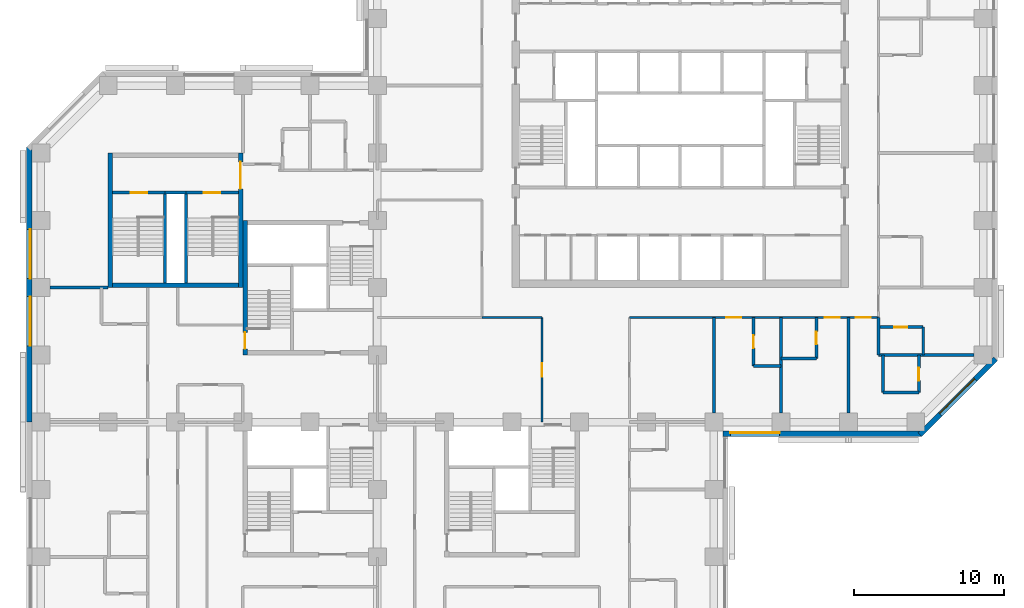
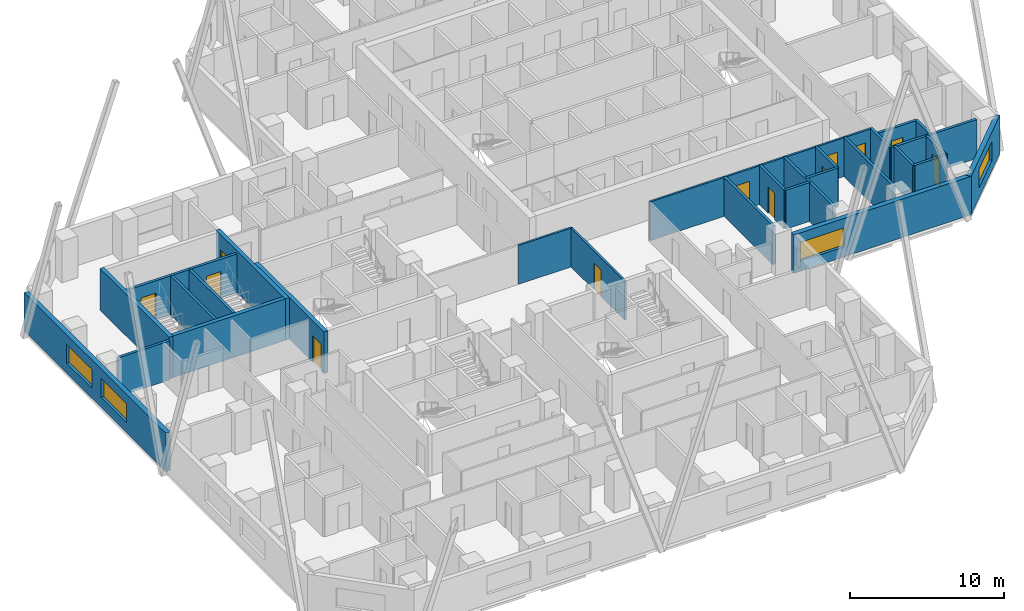
# One storey, part 6 of 13: 30 walls, 12 doors, 4 windows, 16 openings.
"""IFC4 building model written with IfcOpenShell, lengths in metres."""

from ifc_helpers import new_model, si_unit, direction, frame, frame_2d, origin, place, context, subcontext, project, spatial, rectangle, extrude, material, layer, layer_set, constituent, constituent_set, type_object, element, fill, save


model = new_model("IFC4")

# Units and contexts
model_context = context("Model", 3, precision=1e-05, world=origin(), true_north=direction((0.0, 1.0)))
body_context = subcontext(model_context, "Body", "Model", "MODEL_VIEW")
ifc_project = project(units=[si_unit("LENGTHUNIT", "METRE"), si_unit("AREAUNIT", "SQUARE_METRE"), si_unit("VOLUMEUNIT", "CUBIC_METRE"), si_unit("PLANEANGLEUNIT", "RADIAN"), si_unit("MASSUNIT", "GRAM", prefix="KILO")], contexts=[model_context])

# Site, building, storey
site_placement = place(None, origin())
site = spatial("IfcSite", under=ifc_project, at=site_placement, CompositionType="ELEMENT")
building_placement = place(site_placement, origin())
building = spatial("IfcBuilding", under=site, at=building_placement, Name="Quoin Convention Tower", CompositionType="ELEMENT")
storey_placement = place(building_placement, frame((0.0, 0.0, 39.60009765625)))
storey = spatial("IfcBuildingStorey", under=building, at=storey_placement, Name="L09", CompositionType="ELEMENT", Elevation=39.60009765625)

# Wall, opening, window
ifc_material_1 = material(Name="Brick masonry", Category="masonry")
ifc_layer_1 = layer(ifc_material_1, 0.35009765625)
ifc_layer_set_1 = layer_set([ifc_layer_1], Name="Brick masonry")
wall_type_1 = type_object("IfcWallType", Name="Brick facade wall", PredefinedType="STANDARD", material=ifc_layer_set_1)
wall_1_placement = place(storey_placement, frame((59.10009765625, 39.72509765625, 0.0), z_axis=(0.0, 0.0, 1.0), x_axis=(1.0, 0.0, 0.0)))
wall_1 = element("IfcWall", 1, at=wall_1_placement, inside=storey, type_object=wall_type_1, Name="fw-L09-58500_40500", PredefinedType="STANDARD", context=body_context, shape_type="SweptSolid", body=[
    extrude(rectangle(XDim=13.29345703125, YDim=0.35009765625, at=frame_2d((6.646728515625, 0.0))), origin(), (0.0, 0.0, 1.0), 3.054931640625),
])
opening_1_placement = place(wall_1_placement, frame((0.5, 0.0, 0.800048828125)))
opening_1 = element("IfcOpeningElement", 2, at=opening_1_placement, cuts=wall_1, Name="Opening W-01", PredefinedType="OPENING", context=body_context, shape_type="SweptSolid", body=[
    extrude(rectangle(XDim=3.300048828125, YDim=1.5, at=frame_2d((1.64990234375, 0.75))), frame((0.0, 0.18505859375, 0.0), z_axis=(0.0, -1.0, 0.0), x_axis=(1.0, 0.0, 0.0)), (0.0, 0.0, 1.0), 0.3701171875),
])
ifc_material_2 = material(Name="Aluminium", Category="aluminium")
ifc_constituent_1 = constituent(ifc_material_2, Name="Frame")
ifc_material_3 = material(Name="Insulated glass", Category="glass")
ifc_constituent_2 = constituent(ifc_material_3, Name="Glazing")
ifc_constituent_set = constituent_set(constituents=[ifc_constituent_1, ifc_constituent_2], Name="Aluminium")
window_type = type_object("IfcWindowType", Name="Hotel strip window", PartitioningType="DOUBLE_PANEL_VERTICAL", PredefinedType="WINDOW", material=ifc_constituent_set)
window_1_placement = place(opening_1_placement, origin())
window_1 = element("IfcWindow", 3, at=window_1_placement, inside=storey, type_object=window_type, Name="win-L09-60750_39725", OverallHeight=1.5, OverallWidth=3.300048828125, PartitioningType="SINGLE_PANEL", PredefinedType="WINDOW", context=body_context, shape_type="SweptSolid", body=[
    extrude(rectangle(XDim=3.300048828125, YDim=1.5, at=frame_2d((1.64990234375, 0.75))), frame((0.0, 0.0849609375, 0.0), z_axis=(0.0, -1.0, 0.0), x_axis=(1.0, 0.0, 0.0)), (0.0, 0.0, 1.0), 0.06005859375),
])
fill(opening_1, window_1)

wall_2_placement = place(storey_placement, frame((72.269775390625, 39.673583984375, 0.0), z_axis=(0.0, 0.0, 1.0), x_axis=(0.707106781187, 0.707106781187, 0.0)))
wall_2 = element("IfcWall", 4, at=wall_2_placement, inside=storey, type_object=wall_type_1, Name="fw-L09-72000_40500", PredefinedType="STANDARD", context=body_context, shape_type="SweptSolid", body=[
    extrude(rectangle(XDim=7.151123046875, YDim=0.35009765625, at=frame_2d((3.57568359375, 0.0))), origin(), (0.0, 0.0, 1.0), 3.054931640625),
])
opening_2_placement = place(wall_2_placement, frame((1.925537109375, 0.0, 0.800048828125)))
opening_2 = element("IfcOpeningElement", 5, at=opening_2_placement, cuts=wall_2, Name="Opening W-01", PredefinedType="OPENING", context=body_context, shape_type="SweptSolid", body=[
    extrude(rectangle(XDim=3.300048828125, YDim=1.5, at=frame_2d((1.64990234375, 0.75))), frame((0.0, 0.18505859375, 0.0), z_axis=(0.0, -1.0, 0.0), x_axis=(1.0, 0.0, 0.0)), (0.0, 0.0, 1.0), 0.3701171875),
])
window_2_placement = place(opening_2_placement, origin())
window_2 = element("IfcWindow", 6, at=window_2_placement, inside=storey, type_object=window_type, Name="win-L09-74798_42202", OverallHeight=1.5, OverallWidth=3.300048828125, PartitioningType="SINGLE_PANEL", PredefinedType="WINDOW", context=body_context, shape_type="SweptSolid", body=[
    extrude(rectangle(XDim=3.300048828125, YDim=1.5, at=frame_2d((1.64990234375, 0.75))), frame((0.0, 0.0849609375, 0.0), z_axis=(0.0, -1.0, 0.0), x_axis=(1.0, 0.0, 0.0)), (0.0, 0.0, 1.0), 0.06005859375),
])
fill(opening_2, window_2)

# Wall, openings, windows
wall_3_placement = place(storey_placement, frame((12.72509765625, 58.8935546875, 0.0), z_axis=(0.0, 0.0, 1.0), x_axis=(0.0, -1.0, 0.0)))
wall_3 = element("IfcWall", 7, at=wall_3_placement, inside=storey, type_object=wall_type_1, Name="fw-L09-13500_58500", PredefinedType="STANDARD", context=body_context, shape_type="SweptSolid", body=[
    extrude(rectangle(XDim=18.3935546875, YDim=0.35009765625, at=frame_2d((9.19677734375, 0.0))), origin(), (0.0, 0.0, 1.0), 3.054931640625),
])
opening_3_placement = place(wall_3_placement, frame((5.493408203125, 0.0, 0.800048828125)))
opening_3 = element("IfcOpeningElement", 8, at=opening_3_placement, cuts=wall_3, Name="Opening W-01", PredefinedType="OPENING", context=body_context, shape_type="SweptSolid", body=[
    extrude(rectangle(XDim=3.300048828125, YDim=1.5, at=frame_2d((1.64990234375, 0.75))), frame((0.0, 0.18505859375, 0.0), z_axis=(0.0, -1.0, 0.0), x_axis=(1.0, 0.0, 0.0)), (0.0, 0.0, 1.0), 0.3701171875),
])
opening_4_placement = place(wall_3_placement, frame((9.993408203125, 0.0, 0.800048828125)))
opening_4 = element("IfcOpeningElement", 9, at=opening_4_placement, cuts=wall_3, Name="Opening W-01", PredefinedType="OPENING", context=body_context, shape_type="SweptSolid", body=[
    extrude(rectangle(XDim=3.300048828125, YDim=1.5, at=frame_2d((1.64990234375, 0.75))), frame((0.0, 0.18505859375, 0.0), z_axis=(0.0, -1.0, 0.0), x_axis=(1.0, 0.0, 0.0)), (0.0, 0.0, 1.0), 0.3701171875),
])
window_3_placement = place(opening_3_placement, origin())
window_3 = element("IfcWindow", 10, at=window_3_placement, inside=storey, type_object=window_type, Name="win-L09-12725_51750", OverallHeight=1.5, OverallWidth=3.300048828125, PartitioningType="SINGLE_PANEL", PredefinedType="WINDOW", context=body_context, shape_type="SweptSolid", body=[
    extrude(rectangle(XDim=3.300048828125, YDim=1.5, at=frame_2d((1.64990234375, 0.75))), frame((0.0, 0.0849609375, 0.0), z_axis=(0.0, -1.0, 0.0), x_axis=(1.0, 0.0, 0.0)), (0.0, 0.0, 1.0), 0.06005859375),
])
fill(opening_3, window_3)
window_4_placement = place(opening_4_placement, origin())
window_4 = element("IfcWindow", 11, at=window_4_placement, inside=storey, type_object=window_type, Name="win-L09-12725_47250", OverallHeight=1.5, OverallWidth=3.300048828125, PartitioningType="SINGLE_PANEL", PredefinedType="WINDOW", context=body_context, shape_type="SweptSolid", body=[
    extrude(rectangle(XDim=3.300048828125, YDim=1.5, at=frame_2d((1.64990234375, 0.75))), frame((0.0, 0.0849609375, 0.0), z_axis=(0.0, -1.0, 0.0), x_axis=(1.0, 0.0, 0.0)), (0.0, 0.0, 1.0), 0.06005859375),
])
fill(opening_4, window_4)

# Wall
ifc_material_4 = material(Name="Concrete C50", Category="concrete")
ifc_layer_2 = layer(ifc_material_4, 0.199951171875)
ifc_layer_set_2 = layer_set([ifc_layer_2], Name="Concrete C50")
wall_type_2 = type_object("IfcWallType", Name="Core shaft wall", PredefinedType="SOLIDWALL", material=ifc_layer_set_2)
wall_4_placement = place(storey_placement, frame((21.800048828125, 55.85009765625, 0.0), z_axis=(0.0, 0.0, 1.0), x_axis=(1.0, 0.0, 0.0)))
element("IfcWall", 12, at=wall_4_placement, inside=storey, type_object=wall_type_2, Name="cr-P6-L09-h6350_3800", PredefinedType="SOLIDWALL", context=body_context, shape_type="SweptSolid", body=[
    extrude(rectangle(XDim=1.39990234375, YDim=0.199951171875, at=frame_2d((0.699951171875, 0.0))), origin(), (0.0, 0.0, 1.0), 3.079833984375),
])

# Wall, opening, door
wall_5_placement = place(storey_placement, frame((18.300048828125, 55.85009765625, 0.0), z_axis=(0.0, 0.0, 1.0), x_axis=(1.0, 0.0, 0.0)))
wall_5 = element("IfcWall", 13, at=wall_5_placement, inside=storey, type_object=wall_type_2, Name="cr-P6-L09-h6350_300", PredefinedType="SOLIDWALL", context=body_context, shape_type="SweptSolid", body=[
    extrude(rectangle(XDim=3.5, YDim=0.199951171875, at=frame_2d((1.75, 0.0))), origin(), (0.0, 0.0, 1.0), 3.079833984375),
])
opening_5_placement = place(wall_5_placement, frame((1.199951171875, 0.0, 0.0)))
opening_5 = element("IfcOpeningElement", 14, at=opening_5_placement, cuts=wall_5, Name="Opening SD11", PredefinedType="OPENING", context=body_context, shape_type="SweptSolid", body=[
    extrude(rectangle(XDim=1.10009765625, YDim=2.10009765625, at=frame_2d((0.550048828125, 1.050048828125))), frame((0.0, 0.10986328125, 0.0), z_axis=(0.0, -1.0, 0.0), x_axis=(1.0, 0.0, 0.0)), (0.0, 0.0, 1.0), 0.219970703125),
])
ifc_material_5 = material(Name="Steel door leaf", Category="steel")
door_type_1 = type_object("IfcDoorType", Name="Stair door 1100 x 2100", OperationType="SINGLE_SWING_RIGHT", PredefinedType="DOOR", material=ifc_material_5)
door_1_placement = place(opening_5_placement, origin())
door_1 = element("IfcDoor", 15, at=door_1_placement, inside=storey, type_object=door_type_1, Name="cd-P6-L09-SA-R2-SD11", OperationType="SINGLE_SWING_RIGHT", OverallHeight=2.10009765625, OverallWidth=1.10009765625, PredefinedType="DOOR", context=body_context, shape_type="SweptSolid", body=[
    extrude(rectangle(XDim=1.10009765625, YDim=2.10009765625, at=frame_2d((0.550048828125, 1.050048828125))), frame((0.0, 0.02490234375, 0.0), z_axis=(0.0, -1.0, 0.0), x_axis=(1.0, 0.0, 0.0)), (0.0, 0.0, 1.0), 0.050048828125),
])
fill(opening_5, door_1)

wall_6_placement = place(storey_placement, frame((23.199951171875, 55.85009765625, 0.0), z_axis=(0.0, 0.0, 1.0), x_axis=(1.0, 0.0, 0.0)))
wall_6 = element("IfcWall", 16, at=wall_6_placement, inside=storey, type_object=wall_type_2, Name="cr-P6-L09-h6350_5200", PredefinedType="SOLIDWALL", context=body_context, shape_type="SweptSolid", body=[
    extrude(rectangle(XDim=3.5, YDim=0.199951171875, at=frame_2d((1.75, 0.0))), origin(), (0.0, 0.0, 1.0), 3.079833984375),
])
opening_6_placement = place(wall_6_placement, frame((1.199951171875, 0.0, 0.0)))
opening_6 = element("IfcOpeningElement", 17, at=opening_6_placement, cuts=wall_6, Name="Opening SD12", PredefinedType="OPENING", context=body_context, shape_type="SweptSolid", body=[
    extrude(rectangle(XDim=1.10009765625, YDim=2.10009765625, at=frame_2d((0.550048828125, 1.050048828125))), frame((0.0, 0.10986328125, 0.0), z_axis=(0.0, -1.0, 0.0), x_axis=(1.0, 0.0, 0.0)), (0.0, 0.0, 1.0), 0.219970703125),
])
door_2_placement = place(opening_6_placement, origin())
door_2 = element("IfcDoor", 18, at=door_2_placement, inside=storey, type_object=door_type_1, Name="cd-P6-L09-SB-R2-SD12", OperationType="SINGLE_SWING_RIGHT", OverallHeight=2.10009765625, OverallWidth=1.10009765625, PredefinedType="DOOR", context=body_context, shape_type="SweptSolid", body=[
    extrude(rectangle(XDim=1.10009765625, YDim=2.10009765625, at=frame_2d((0.550048828125, 1.050048828125))), frame((0.0, 0.02490234375, 0.0), z_axis=(0.0, -1.0, 0.0), x_axis=(1.0, 0.0, 0.0)), (0.0, 0.0, 1.0), 0.050048828125),
])
fill(opening_6, door_2)

# Walls
for number, where, z_axis, x_axis, name in (
    (19, (21.800048828125, 49.800048828125, 0.0), (0.0, 0.0, 1.0), (0.0, 1.0, 0.0), "cr-P6-L09-v3800_300"),
    (20, (23.199951171875, 49.800048828125, 0.0), (0.0, 0.0, 1.0), (0.0, 1.0, 0.0), "cr-P6-L09-v5200_300"),
):
    element("IfcWall", number, at=place(storey_placement, frame(where, z_axis=z_axis, x_axis=x_axis)), inside=storey, type_object=wall_type_2, Name=name, PredefinedType="SOLIDWALL", context=body_context, shape_type="SweptSolid", body=[
        extrude(rectangle(XDim=6.050048828125, YDim=0.199951171875, at=frame_2d((3.02490234375, 0.0))), origin(), (0.0, 0.0, 1.0), 3.079833984375),
    ])

# Wall, opening, door
ifc_material_6 = material(Name="Concrete C80", Category="concrete")
ifc_layer_3 = layer(ifc_material_6, 0.300048828125)
ifc_layer_set_3 = layer_set([ifc_layer_3], Name="Concrete C80")
wall_type_3 = type_object("IfcWallType", Name="RC CORE WALL 300 C80", PredefinedType="SHEAR", material=ifc_layer_set_3)
wall_7_placement = place(storey_placement, frame((27.14990234375, 45.0, 0.0), z_axis=(0.0, 0.0, 1.0), x_axis=(0.0, 1.0, 0.0)))
wall_7 = element("IfcWall", 21, at=wall_7_placement, inside=storey, type_object=wall_type_3, Name="cwl-P2-L09-W", PredefinedType="SHEAR", context=body_context, shape_type="SweptSolid", body=[
    extrude(rectangle(XDim=9.0, YDim=0.300048828125, at=frame_2d((4.5, 0.0))), origin(), (0.0, 0.0, 1.0), 3.2998046875),
])
opening_7_placement = place(wall_7_placement, frame((0.39990234375, 0.0, 0.0)))
opening_7 = element("IfcOpeningElement", 22, at=opening_7_placement, cuts=wall_7, Name="Opening SD3", PredefinedType="OPENING", context=body_context, shape_type="SweptSolid", body=[
    extrude(rectangle(XDim=1.10009765625, YDim=2.10009765625, at=frame_2d((0.550048828125, 1.050048828125))), frame((0.0, 0.159912109375, 0.0), z_axis=(0.0, -1.0, 0.0), x_axis=(1.0, 0.0, 0.0)), (0.0, 0.0, 1.0), 0.320068359375),
])
door_3_placement = place(opening_7_placement, frame((1.10009765625, 0.0, 0.0), z_axis=(0.0, 0.0, 1.0), x_axis=(-1.0, 0.0, 0.0)))
door_3 = element("IfcDoor", 23, at=door_3_placement, inside=storey, type_object=door_type_1, Name="cd-P2-L09-SA-W", OperationType="SINGLE_SWING_RIGHT", OverallHeight=2.10009765625, OverallWidth=1.10009765625, PredefinedType="DOOR", context=body_context, shape_type="SweptSolid", body=[
    extrude(rectangle(XDim=1.10009765625, YDim=2.10009765625, at=frame_2d((0.550048828125, 1.050048828125))), frame((0.0, 0.02490234375, 0.0), z_axis=(0.0, -1.0, 0.0), x_axis=(1.0, 0.0, 0.0)), (0.0, 0.0, 1.0), 0.050048828125),
])
fill(opening_7, door_3)

# Walls
wall_8_placement = place(storey_placement, frame((18.300048828125, 49.64990234375, 0.0), z_axis=(0.0, 0.0, 1.0), x_axis=(1.0, 0.0, 0.0)))
element("IfcWall", 24, at=wall_8_placement, inside=storey, type_object=wall_type_3, Name="cwl-P6-L09-S", PredefinedType="SHEAR", context=body_context, shape_type="SweptSolid", body=[
    extrude(rectangle(XDim=8.39990234375, YDim=0.300048828125, at=frame_2d((4.199951171875, 0.0))), origin(), (0.0, 0.0, 1.0), 3.2998046875),
])
wall_9_placement = place(storey_placement, frame((18.14990234375, 49.5, 0.0), z_axis=(0.0, 0.0, 1.0), x_axis=(0.0, 1.0, 0.0)))
element("IfcWall", 25, at=wall_9_placement, inside=storey, type_object=wall_type_3, Name="cwl-P6-L09-W", PredefinedType="SHEAR", context=body_context, shape_type="SweptSolid", body=[
    extrude(rectangle(XDim=9.0, YDim=0.300048828125, at=frame_2d((4.5, 0.0))), origin(), (0.0, 0.0, 1.0), 3.2998046875),
])

# Wall, opening, door
wall_10_placement = place(storey_placement, frame((26.85009765625, 49.5, 0.0), z_axis=(0.0, 0.0, 1.0), x_axis=(0.0, 1.0, 0.0)))
wall_10 = element("IfcWall", 26, at=wall_10_placement, inside=storey, type_object=wall_type_3, Name="cwl-P6-L09-E", PredefinedType="SHEAR", context=body_context, shape_type="SweptSolid", body=[
    extrude(rectangle(XDim=9.0, YDim=0.300048828125, at=frame_2d((4.5, 0.0))), origin(), (0.0, 0.0, 1.0), 3.2998046875),
])
opening_8_placement = place(wall_10_placement, frame((6.60009765625, 0.0, 0.0)))
opening_8 = element("IfcOpeningElement", 27, at=opening_8_placement, cuts=wall_10, Name="Opening DCV3-44", PredefinedType="OPENING", context=body_context, shape_type="SweptSolid", body=[
    extrude(rectangle(XDim=1.800048828125, YDim=2.10009765625, at=frame_2d((0.89990234375, 1.050048828125))), frame((0.0, 0.159912109375, 0.0), z_axis=(0.0, -1.0, 0.0), x_axis=(1.0, 0.0, 0.0)), (0.0, 0.0, 1.0), 0.320068359375),
])
door_type_2 = type_object("IfcDoorType", Name="Goods lobby door 1800 x 2100", OperationType="SINGLE_SWING_LEFT", PredefinedType="DOOR", material=ifc_material_5)
door_4_placement = place(opening_8_placement, origin())
door_4 = element("IfcDoor", 28, at=door_4_placement, inside=storey, type_object=door_type_2, Name="cd-P6-L09-R2-E", OperationType="SINGLE_SWING_LEFT", OverallHeight=2.10009765625, OverallWidth=1.800048828125, PredefinedType="DOOR", context=body_context, shape_type="SweptSolid", body=[
    extrude(rectangle(XDim=1.800048828125, YDim=2.10009765625, at=frame_2d((0.89990234375, 1.050048828125))), frame((0.0, 0.02490234375, 0.0), z_axis=(0.0, -1.0, 0.0), x_axis=(1.0, 0.0, 0.0)), (0.0, 0.0, 1.0), 0.050048828125),
])
fill(opening_8, door_4)

# Walls
ifc_layer_4 = layer(ifc_material_4, 0.199951171875)
ifc_layer_set_4 = layer_set([ifc_layer_4], Name="Concrete C50")
wall_type_4 = type_object("IfcWallType", Name="RC party wall", PredefinedType="SOLIDWALL", material=ifc_layer_set_4)
for number, where, z_axis, x_axis, name in (
    (29, (63.0, 41.10009765625, 0.0), (0.0, 0.0, 1.0), (0.0, 1.0, 0.0), "pw-L09-073"),
    (30, (67.5, 41.10009765625, 0.0), (0.0, 0.0, 1.0), (0.0, 1.0, 0.0), "pw-L09-074"),
):
    element("IfcWall", number, at=place(storey_placement, frame(where, z_axis=z_axis, x_axis=x_axis)), inside=storey, type_object=wall_type_4, Name=name, PredefinedType="SOLIDWALL", context=body_context, shape_type="SweptSolid", body=[
        extrude(rectangle(XDim=6.39990234375, YDim=0.199951171875, at=frame_2d((3.199951171875, 0.0))), origin(), (0.0, 0.0, 1.0), 3.079833984375),
    ])
wall_11_placement = place(storey_placement, frame((69.800048828125, 42.5, 0.0), z_axis=(0.0, 0.0, 1.0), x_axis=(1.0, 0.0, 0.0)))
element("IfcWall", 31, at=wall_11_placement, inside=storey, type_object=wall_type_4, Name="pw-L09-075", PredefinedType="SOLIDWALL", context=body_context, shape_type="SweptSolid", body=[
    extrude(rectangle(XDim=2.39990234375, YDim=0.199951171875, at=frame_2d((1.199951171875, 0.0))), origin(), (0.0, 0.0, 1.0), 3.079833984375),
])
wall_12_placement = place(storey_placement, frame((69.800048828125, 42.5, 0.0), z_axis=(0.0, 0.0, 1.0), x_axis=(0.0, 1.0, 0.0)))
element("IfcWall", 32, at=wall_12_placement, inside=storey, type_object=wall_type_4, Name="pw-L09-076", PredefinedType="SOLIDWALL", context=body_context, shape_type="SweptSolid", body=[
    extrude(rectangle(XDim=2.5, YDim=0.199951171875, at=frame_2d((1.25, 0.0))), origin(), (0.0, 0.0, 1.0), 3.079833984375),
])

# Wall, opening, door
wall_13_placement = place(storey_placement, frame((72.199951171875, 42.5, 0.0), z_axis=(0.0, 0.0, 1.0), x_axis=(0.0, 1.0, 0.0)))
wall_13 = element("IfcWall", 33, at=wall_13_placement, inside=storey, type_object=wall_type_4, Name="pw-L09-077", PredefinedType="SOLIDWALL", context=body_context, shape_type="SweptSolid", body=[
    extrude(rectangle(XDim=2.5, YDim=0.199951171875, at=frame_2d((1.25, 0.0))), origin(), (0.0, 0.0, 1.0), 3.079833984375),
])
opening_9_placement = place(wall_13_placement, frame((0.77490234375, 0.0, 0.0)))
opening_9 = element("IfcOpeningElement", 34, at=opening_9_placement, cuts=wall_13, Name="Opening DHOTEL-E-46", PredefinedType="OPENING", context=body_context, shape_type="SweptSolid", body=[
    extrude(rectangle(XDim=0.85009765625, YDim=2.10009765625, at=frame_2d((0.425048828125, 1.050048828125))), frame((0.0, 0.10986328125, 0.0), z_axis=(0.0, -1.0, 0.0), x_axis=(1.0, 0.0, 0.0)), (0.0, 0.0, 1.0), 0.219970703125),
])
door_type_3 = type_object("IfcDoorType", Name="Bathroom door", OperationType="SINGLE_SWING_LEFT", PredefinedType="DOOR", material=ifc_material_5)
door_5_placement = place(opening_9_placement, frame((0.85009765625, 0.0, 0.0), z_axis=(0.0, 0.0, 1.0), x_axis=(-1.0, 0.0, 0.0)))
door_5 = element("IfcDoor", 35, at=door_5_placement, inside=storey, type_object=door_type_3, Name="dr-L09-060", OperationType="SINGLE_SWING_LEFT", OverallHeight=2.10009765625, OverallWidth=0.85009765625, PredefinedType="DOOR", context=body_context, shape_type="SweptSolid", body=[
    extrude(rectangle(XDim=0.85009765625, YDim=2.10009765625, at=frame_2d((0.425048828125, 1.050048828125))), frame((0.0, 0.02490234375, 0.0), z_axis=(0.0, -1.0, 0.0), x_axis=(1.0, 0.0, 0.0)), (0.0, 0.0, 1.0), 0.050048828125),
])
fill(opening_9, door_5)

# Wall
wall_14_placement = place(storey_placement, frame((61.14990234375, 44.25, 0.0), z_axis=(0.0, 0.0, 1.0), x_axis=(1.0, 0.0, 0.0)))
element("IfcWall", 36, at=wall_14_placement, inside=storey, type_object=wall_type_4, Name="pw-L09-078", PredefinedType="SOLIDWALL", context=body_context, shape_type="SweptSolid", body=[
    extrude(rectangle(XDim=1.85009765625, YDim=0.199951171875, at=frame_2d((0.925048828125, 0.0))), origin(), (0.0, 0.0, 1.0), 3.079833984375),
])

# Wall, opening, door
wall_15_placement = place(storey_placement, frame((61.14990234375, 44.25, 0.0), z_axis=(0.0, 0.0, 1.0), x_axis=(0.0, 1.0, 0.0)))
wall_15 = element("IfcWall", 37, at=wall_15_placement, inside=storey, type_object=wall_type_4, Name="pw-L09-079", PredefinedType="SOLIDWALL", context=body_context, shape_type="SweptSolid", body=[
    extrude(rectangle(XDim=3.25, YDim=0.199951171875, at=frame_2d((1.625, 0.0))), origin(), (0.0, 0.0, 1.0), 3.079833984375),
])
opening_10_placement = place(wall_15_placement, frame((1.199951171875, 0.0, 0.0)))
opening_10 = element("IfcOpeningElement", 38, at=opening_10_placement, cuts=wall_15, Name="Opening DHOTEL-E-47", PredefinedType="OPENING", context=body_context, shape_type="SweptSolid", body=[
    extrude(rectangle(XDim=0.85009765625, YDim=2.10009765625, at=frame_2d((0.425048828125, 1.050048828125))), frame((0.0, 0.10986328125, 0.0), z_axis=(0.0, -1.0, 0.0), x_axis=(1.0, 0.0, 0.0)), (0.0, 0.0, 1.0), 0.219970703125),
])
door_6_placement = place(opening_10_placement, origin())
door_6 = element("IfcDoor", 39, at=door_6_placement, inside=storey, type_object=door_type_3, Name="dr-L09-048", OperationType="SINGLE_SWING_RIGHT", OverallHeight=2.10009765625, OverallWidth=0.85009765625, PredefinedType="DOOR", context=body_context, shape_type="SweptSolid", body=[
    extrude(rectangle(XDim=0.85009765625, YDim=2.10009765625, at=frame_2d((0.425048828125, 1.050048828125))), frame((0.0, 0.02490234375, 0.0), z_axis=(0.0, -1.0, 0.0), x_axis=(1.0, 0.0, 0.0)), (0.0, 0.0, 1.0), 0.050048828125),
])
fill(opening_10, door_6)

# Wall
wall_16_placement = place(storey_placement, frame((63.0, 44.75, 0.0), z_axis=(0.0, 0.0, 1.0), x_axis=(1.0, 0.0, 0.0)))
element("IfcWall", 40, at=wall_16_placement, inside=storey, type_object=wall_type_4, Name="pw-L09-080", PredefinedType="SOLIDWALL", context=body_context, shape_type="SweptSolid", body=[
    extrude(rectangle(XDim=2.35009765625, YDim=0.199951171875, at=frame_2d((1.175048828125, 0.0))), origin(), (0.0, 0.0, 1.0), 3.079833984375),
])

# Wall, opening, door
wall_17_placement = place(storey_placement, frame((65.35009765625, 44.75, 0.0), z_axis=(0.0, 0.0, 1.0), x_axis=(0.0, 1.0, 0.0)))
wall_17 = element("IfcWall", 41, at=wall_17_placement, inside=storey, type_object=wall_type_4, Name="pw-L09-081", PredefinedType="SOLIDWALL", context=body_context, shape_type="SweptSolid", body=[
    extrude(rectangle(XDim=2.75, YDim=0.199951171875, at=frame_2d((1.375, 0.0))), origin(), (0.0, 0.0, 1.0), 3.079833984375),
])
opening_11_placement = place(wall_17_placement, frame((0.949951171875, 0.0, 0.0)))
opening_11 = element("IfcOpeningElement", 42, at=opening_11_placement, cuts=wall_17, Name="Opening DHOTEL-E-48", PredefinedType="OPENING", context=body_context, shape_type="SweptSolid", body=[
    extrude(rectangle(XDim=0.85009765625, YDim=2.10009765625, at=frame_2d((0.425048828125, 1.050048828125))), frame((0.0, 0.10986328125, 0.0), z_axis=(0.0, -1.0, 0.0), x_axis=(1.0, 0.0, 0.0)), (0.0, 0.0, 1.0), 0.219970703125),
])
door_7_placement = place(opening_11_placement, frame((0.85009765625, 0.0, 0.0), z_axis=(0.0, 0.0, 1.0), x_axis=(-1.0, 0.0, 0.0)))
door_7 = element("IfcDoor", 43, at=door_7_placement, inside=storey, type_object=door_type_3, Name="dr-L09-046", OperationType="SINGLE_SWING_LEFT", OverallHeight=2.10009765625, OverallWidth=0.85009765625, PredefinedType="DOOR", context=body_context, shape_type="SweptSolid", body=[
    extrude(rectangle(XDim=0.85009765625, YDim=2.10009765625, at=frame_2d((0.425048828125, 1.050048828125))), frame((0.0, 0.02490234375, 0.0), z_axis=(0.0, -1.0, 0.0), x_axis=(1.0, 0.0, 0.0)), (0.0, 0.0, 1.0), 0.050048828125),
])
fill(opening_11, door_7)

# Walls
wall_18_placement = place(storey_placement, frame((69.5, 45.0, 0.0), z_axis=(0.0, 0.0, 1.0), x_axis=(1.0, 0.0, 0.0)))
element("IfcWall", 44, at=wall_18_placement, inside=storey, type_object=wall_type_4, Name="pw-L09-082", PredefinedType="SOLIDWALL", context=body_context, shape_type="SweptSolid", body=[
    extrude(rectangle(XDim=6.39990234375, YDim=0.199951171875, at=frame_2d((3.199951171875, 0.0))), origin(), (0.0, 0.0, 1.0), 3.079833984375),
])
wall_19_placement = place(storey_placement, frame((69.5, 45.0, 0.0), z_axis=(0.0, 0.0, 1.0), x_axis=(0.0, 1.0, 0.0)))
element("IfcWall", 45, at=wall_19_placement, inside=storey, type_object=wall_type_4, Name="pw-L09-083", PredefinedType="SOLIDWALL", context=body_context, shape_type="SweptSolid", body=[
    extrude(rectangle(XDim=2.5, YDim=0.199951171875, at=frame_2d((1.25, 0.0))), origin(), (0.0, 0.0, 1.0), 3.079833984375),
])
wall_20_placement = place(storey_placement, frame((72.5, 45.0, 0.0), z_axis=(0.0, 0.0, 1.0), x_axis=(0.0, 1.0, 0.0)))
element("IfcWall", 46, at=wall_20_placement, inside=storey, type_object=wall_type_4, Name="pw-L09-084", PredefinedType="SOLIDWALL", context=body_context, shape_type="SweptSolid", body=[
    extrude(rectangle(XDim=1.85009765625, YDim=0.199951171875, at=frame_2d((0.925048828125, 0.0))), origin(), (0.0, 0.0, 1.0), 3.079833984375),
])

# Wall, opening, door
wall_21_placement = place(storey_placement, frame((69.5, 46.85009765625, 0.0), z_axis=(0.0, 0.0, 1.0), x_axis=(1.0, 0.0, 0.0)))
wall_21 = element("IfcWall", 47, at=wall_21_placement, inside=storey, type_object=wall_type_4, Name="pw-L09-085", PredefinedType="SOLIDWALL", context=body_context, shape_type="SweptSolid", body=[
    extrude(rectangle(XDim=3.0, YDim=0.199951171875, at=frame_2d((1.5, 0.0))), origin(), (0.0, 0.0, 1.0), 3.079833984375),
])
opening_12_placement = place(wall_21_placement, frame((1.074951171875, 0.0, 0.0)))
opening_12 = element("IfcOpeningElement", 48, at=opening_12_placement, cuts=wall_21, Name="Opening DHOTEL-E-49", PredefinedType="OPENING", context=body_context, shape_type="SweptSolid", body=[
    extrude(rectangle(XDim=0.85009765625, YDim=2.10009765625, at=frame_2d((0.425048828125, 1.050048828125))), frame((0.0, 0.10986328125, 0.0), z_axis=(0.0, -1.0, 0.0), x_axis=(1.0, 0.0, 0.0)), (0.0, 0.0, 1.0), 0.219970703125),
])
door_8_placement = place(opening_12_placement, origin())
door_8 = element("IfcDoor", 49, at=door_8_placement, inside=storey, type_object=door_type_3, Name="dr-L09-044", OperationType="SINGLE_SWING_LEFT", OverallHeight=2.10009765625, OverallWidth=0.85009765625, PredefinedType="DOOR", context=body_context, shape_type="SweptSolid", body=[
    extrude(rectangle(XDim=0.85009765625, YDim=2.10009765625, at=frame_2d((0.425048828125, 1.050048828125))), frame((0.0, 0.02490234375, 0.0), z_axis=(0.0, -1.0, 0.0), x_axis=(1.0, 0.0, 0.0)), (0.0, 0.0, 1.0), 0.050048828125),
])
fill(opening_12, door_8)

# Wall
wall_22_placement = place(storey_placement, frame((14.10009765625, 49.5, 0.0), z_axis=(0.0, 0.0, 1.0), x_axis=(1.0, 0.0, 0.0)))
element("IfcWall", 50, at=wall_22_placement, inside=storey, type_object=wall_type_4, Name="pw-L09-088", PredefinedType="SOLIDWALL", context=body_context, shape_type="SweptSolid", body=[
    extrude(rectangle(XDim=3.89990234375, YDim=0.199951171875, at=frame_2d((1.949951171875, 0.0))), origin(), (0.0, 0.0, 1.0), 3.079833984375),
])

# Wall, opening, door
ifc_material_7 = material(Name="Plasterboard")
ifc_layer_5 = layer(ifc_material_7, 0.012451171875, Name="Finish")
ifc_material_8 = material(Name="Steel stud framing", Category="steel")
ifc_layer_6 = layer(ifc_material_8, 0.125, Name="Structure")
ifc_layer_7 = layer(ifc_material_7, 0.012451171875, Name="Finish")
ifc_layer_set_5 = layer_set([ifc_layer_5, ifc_layer_6, ifc_layer_7], Name="Steel stud framing")
wall_type_5 = type_object("IfcWallType", Name="corridor partition", PredefinedType="PARTITIONING", material=ifc_layer_set_5)
wall_23_placement = place(storey_placement, frame((47.0, 40.5, 0.0), z_axis=(0.0, 0.0, 1.0), x_axis=(0.0, 1.0, 0.0)))
wall_23 = element("IfcWall", 51, at=wall_23_placement, inside=storey, type_object=wall_type_5, Name="pw-L09-024", PredefinedType="PARTITIONING", context=body_context, shape_type="SweptSolid", body=[
    extrude(rectangle(XDim=7.0, YDim=0.14990234375, at=frame_2d((3.5, 0.0))), origin(), (0.0, 0.0, 1.0), 3.079833984375),
])
opening_13_placement = place(wall_23_placement, frame((3.050048828125, 0.0, 0.0)))
opening_13 = element("IfcOpeningElement", 52, at=opening_13_placement, cuts=wall_23, Name="Opening DHOTEL-E-17", PredefinedType="OPENING", context=body_context, shape_type="SweptSolid", body=[
    extrude(rectangle(XDim=0.89990234375, YDim=2.10009765625, at=frame_2d((0.449951171875, 1.050048828125))), frame((0.0, 0.0849609375, 0.0), z_axis=(0.0, -1.0, 0.0), x_axis=(1.0, 0.0, 0.0)), (0.0, 0.0, 1.0), 0.169921875),
])
door_type_4 = type_object("IfcDoorType", Name="Single room door", OperationType="SINGLE_SWING_RIGHT", PredefinedType="DOOR", material=ifc_material_5)
door_9_placement = place(opening_13_placement, origin())
door_9 = element("IfcDoor", 53, at=door_9_placement, inside=storey, type_object=door_type_4, Name="dr-L09-069", OperationType="SINGLE_SWING_RIGHT", OverallHeight=2.10009765625, OverallWidth=0.89990234375, PredefinedType="DOOR", context=body_context, shape_type="SweptSolid", body=[
    extrude(rectangle(XDim=0.89990234375, YDim=2.10009765625, at=frame_2d((0.449951171875, 1.050048828125))), frame((0.0, 0.02490234375, 0.0), z_axis=(0.0, -1.0, 0.0), x_axis=(1.0, 0.0, 0.0)), (0.0, 0.0, 1.0), 0.050048828125),
])
fill(opening_13, door_9)

# Wall
wall_24_placement = place(storey_placement, frame((43.0, 47.5, 0.0), z_axis=(0.0, 0.0, 1.0), x_axis=(1.0, 0.0, 0.0)))
element("IfcWall", 54, at=wall_24_placement, inside=storey, type_object=wall_type_5, Name="pw-L09-028", PredefinedType="PARTITIONING", context=body_context, shape_type="SweptSolid", body=[
    extrude(rectangle(XDim=4.0, YDim=0.14990234375, at=frame_2d((2.0, 0.0))), origin(), (0.0, 0.0, 1.0), 3.079833984375),
])

# Wall, openings, doors
wall_25_placement = place(storey_placement, frame((52.85009765625, 47.5, 0.0), z_axis=(0.0, 0.0, 1.0), x_axis=(1.0, 0.0, 0.0)))
wall_25 = element("IfcWall", 55, at=wall_25_placement, inside=storey, type_object=wall_type_5, Name="pw-L09-030", PredefinedType="PARTITIONING", context=body_context, shape_type="SweptSolid", body=[
    extrude(rectangle(XDim=16.64990234375, YDim=0.14990234375, at=frame_2d((8.324951171875, 0.0))), origin(), (0.0, 0.0, 1.0), 3.079833984375),
])
opening_14_placement = place(wall_25_placement, frame((13.074951171875, 0.0, 0.0)))
opening_14 = element("IfcOpeningElement", 56, at=opening_14_placement, cuts=wall_25, Name="Opening DHOTEL-E-21", PredefinedType="OPENING", context=body_context, shape_type="SweptSolid", body=[
    extrude(rectangle(XDim=1.0, YDim=2.10009765625, at=frame_2d((0.5, 1.050048828125))), frame((0.0, 0.0849609375, 0.0), z_axis=(0.0, -1.0, 0.0), x_axis=(1.0, 0.0, 0.0)), (0.0, 0.0, 1.0), 0.169921875),
])
opening_15_placement = place(wall_25_placement, frame((6.47509765625, 0.0, 0.0)))
opening_15 = element("IfcOpeningElement", 57, at=opening_15_placement, cuts=wall_25, Name="Opening DHOTEL-E-20", PredefinedType="OPENING", context=body_context, shape_type="SweptSolid", body=[
    extrude(rectangle(XDim=1.0, YDim=2.10009765625, at=frame_2d((0.5, 1.050048828125))), frame((0.0, 0.0849609375, 0.0), z_axis=(0.0, -1.0, 0.0), x_axis=(1.0, 0.0, 0.0)), (0.0, 0.0, 1.0), 0.169921875),
])
opening_16_placement = place(wall_25_placement, frame((15.14990234375, 0.0, 0.0)))
opening_16 = element("IfcOpeningElement", 58, at=opening_16_placement, cuts=wall_25, Name="Opening DHOTEL-E-22", PredefinedType="OPENING", context=body_context, shape_type="SweptSolid", body=[
    extrude(rectangle(XDim=1.0, YDim=2.10009765625, at=frame_2d((0.5, 1.050048828125))), frame((0.0, 0.0849609375, 0.0), z_axis=(0.0, -1.0, 0.0), x_axis=(1.0, 0.0, 0.0)), (0.0, 0.0, 1.0), 0.169921875),
])
door_type_5 = type_object("IfcDoorType", Name="Hotel room door", OperationType="SINGLE_SWING_LEFT", PredefinedType="DOOR", material=ifc_material_5)
door_10_placement = place(opening_14_placement, frame((1.0, 0.0, 0.0), z_axis=(0.0, 0.0, 1.0), x_axis=(-1.0, 0.0, 0.0)))
door_10 = element("IfcDoor", 59, at=door_10_placement, inside=storey, type_object=door_type_5, Name="dr-L09-045", OperationType="SINGLE_SWING_LEFT", OverallHeight=2.10009765625, OverallWidth=1.0, PredefinedType="DOOR", context=body_context, shape_type="SweptSolid", body=[
    extrude(rectangle(XDim=1.0, YDim=2.10009765625, at=frame_2d((0.5, 1.050048828125))), frame((0.0, 0.02490234375, 0.0), z_axis=(0.0, -1.0, 0.0), x_axis=(1.0, 0.0, 0.0)), (0.0, 0.0, 1.0), 0.050048828125),
])
fill(opening_14, door_10)
door_11_placement = place(opening_15_placement, frame((1.0, 0.0, 0.0), z_axis=(0.0, 0.0, 1.0), x_axis=(-1.0, 0.0, 0.0)))
door_11 = element("IfcDoor", 60, at=door_11_placement, inside=storey, type_object=door_type_5, Name="dr-L09-047", OperationType="SINGLE_SWING_LEFT", OverallHeight=2.10009765625, OverallWidth=1.0, PredefinedType="DOOR", context=body_context, shape_type="SweptSolid", body=[
    extrude(rectangle(XDim=1.0, YDim=2.10009765625, at=frame_2d((0.5, 1.050048828125))), frame((0.0, 0.02490234375, 0.0), z_axis=(0.0, -1.0, 0.0), x_axis=(1.0, 0.0, 0.0)), (0.0, 0.0, 1.0), 0.050048828125),
])
fill(opening_15, door_11)
door_12_placement = place(opening_16_placement, frame((1.0, 0.0, 0.0), z_axis=(0.0, 0.0, 1.0), x_axis=(-1.0, 0.0, 0.0)))
door_12 = element("IfcDoor", 61, at=door_12_placement, inside=storey, type_object=door_type_5, Name="dr-L09-059", OperationType="SINGLE_SWING_LEFT", OverallHeight=2.10009765625, OverallWidth=1.0, PredefinedType="DOOR", context=body_context, shape_type="SweptSolid", body=[
    extrude(rectangle(XDim=1.0, YDim=2.10009765625, at=frame_2d((0.5, 1.050048828125))), frame((0.0, 0.02490234375, 0.0), z_axis=(0.0, -1.0, 0.0), x_axis=(1.0, 0.0, 0.0)), (0.0, 0.0, 1.0), 0.050048828125),
])
fill(opening_16, door_12)

# Wall
ifc_layer_8 = layer(ifc_material_7, 0.012451171875, Name="Finish")
ifc_layer_9 = layer(ifc_material_8, 0.175048828125, Name="Structure")
ifc_layer_10 = layer(ifc_material_7, 0.012451171875, Name="Finish")
ifc_layer_set_6 = layer_set([ifc_layer_8, ifc_layer_9, ifc_layer_10], Name="Steel stud framing")
wall_type_6 = type_object("IfcWallType", Name="guest room compartment wall", PredefinedType="PARTITIONING", material=ifc_layer_set_6)
wall_26_placement = place(storey_placement, frame((58.5, 41.10009765625, 0.0), z_axis=(0.0, 0.0, 1.0), x_axis=(0.0, 1.0, 0.0)))
element("IfcWall", 62, at=wall_26_placement, inside=storey, type_object=wall_type_6, Name="pw-L09-002", PredefinedType="PARTITIONING", context=body_context, shape_type="SweptSolid", body=[
    extrude(rectangle(XDim=6.39990234375, YDim=0.199951171875, at=frame_2d((3.199951171875, 0.0))), origin(), (0.0, 0.0, 1.0), 3.079833984375),
])

save(model, "model.ifc")
